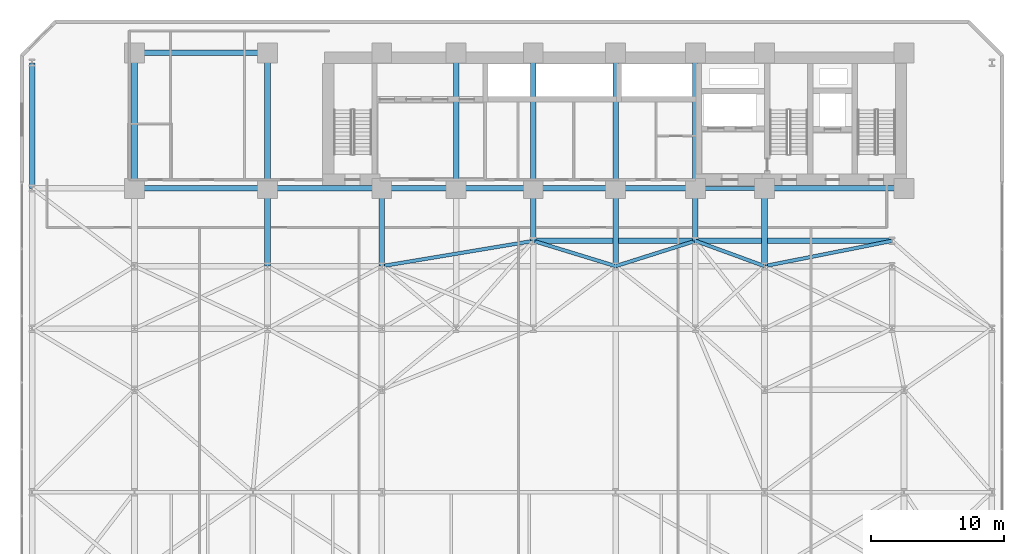
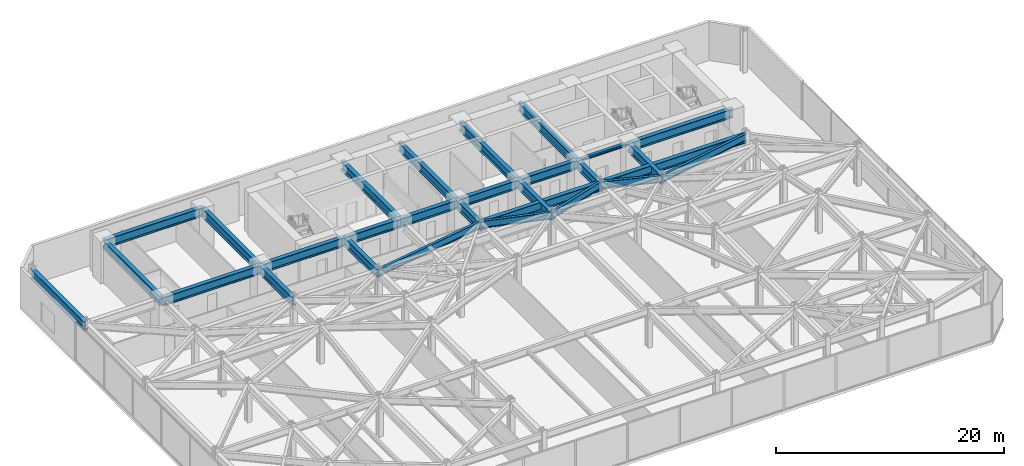
# One storey, part 20 of 30: 29 beams.
"""IFC4 building model written with IfcOpenShell, lengths in metres."""

from ifc_helpers import new_model, si_unit, direction, frame, origin, origin_2d, place, context, subcontext, project, spatial, i_section, extrude, material, material_profile, profile_set, type_object, element, save


model = new_model("IFC4")

# Units and contexts
model_context = context("Model", 3, precision=1e-05, world=origin(), true_north=direction((0.0, 1.0)))
body_context = subcontext(model_context, "Body", "Model", "MODEL_VIEW")
ifc_project = project(units=[si_unit("LENGTHUNIT", "METRE"), si_unit("AREAUNIT", "SQUARE_METRE"), si_unit("VOLUMEUNIT", "CUBIC_METRE"), si_unit("PLANEANGLEUNIT", "RADIAN"), si_unit("MASSUNIT", "GRAM", prefix="KILO")], contexts=[model_context])

# Site, building, storey
site_placement = place(None, origin())
site = spatial("IfcSite", under=ifc_project, at=site_placement, CompositionType="ELEMENT")
building_placement = place(site_placement, origin())
building = spatial("IfcBuilding", under=site, at=building_placement, Name="Kravanh Interchange Tower", CompositionType="ELEMENT")
storey_placement = place(building_placement, frame((0.0, 0.0, 19.800048828125)))
storey = spatial("IfcBuildingStorey", under=building, at=storey_placement, Name="L04", CompositionType="ELEMENT", Elevation=19.800048828125)

# Beams
ifc_material_1 = material(Name="Structural Steel S450", Category="steel")
ifc_material_profile_1 = material_profile(ifc_material_1, i_section(OverallWidth=0.423095703125, OverallDepth=0.947998046875, WebThickness=0.02392578125, FlangeThickness=0.042724609375, FilletRadius=0.028076171875, at=origin_2d()), Name="W36X302")
ifc_profile_set_1 = profile_set([ifc_material_profile_1], Name="Structural Steel S450")
beam_type_1 = type_object("IfcBeamType", Name="Floor Beam W36X302 Structural Steel S450", PredefinedType="BEAM", material=ifc_profile_set_1)
for number, where, z_axis, x_axis, name in (
    (1, (18.60009765625, 31.5, 3.676025390625), (0.0, 1.0, 0.0), (-1.0, 0.0, 0.0), "L04 Primary Floor Girder 108"),
    (2, (27.199951171875, 31.5, 3.676025390625), (0.0, 1.0, 0.0), (-1.0, 0.0, 0.0), "L04 Primary Floor Girder 110"),
    (3, (44.800048828125, 31.5, 3.676025390625), (0.0, 1.0, 0.0), (-1.0, 0.0, 0.0), "L04 Primary Floor Girder 113"),
    (4, (56.0, 31.5, 3.676025390625), (0.0, 1.0, 0.0), (-1.0, 0.0, 0.0), "L04 Primary Floor Girder 118"),
):
    element("IfcBeam", number, at=place(storey_placement, frame(where, z_axis=z_axis, x_axis=x_axis)), inside=storey, type_object=beam_type_1, Name=name, PredefinedType="BEAM", context=body_context, shape_type="SweptSolid", body=[
        extrude(i_section(OverallWidth=0.423095703125, OverallDepth=0.947998046875, WebThickness=0.02392578125, FlangeThickness=0.042724609375, FilletRadius=0.028076171875, at=origin_2d()), origin(), (0.0, 0.0, 1.0), 5.85009765625),
    ])
beam_1_placement = place(storey_placement, frame((0.89990234375, 37.35009765625, 3.676025390625), z_axis=(0.0, 1.0, 0.0), x_axis=(-1.0, 0.0, 0.0)))
element("IfcBeam", 5, at=beam_1_placement, inside=storey, type_object=beam_type_1, Name="L04 Primary Floor Girder 126", PredefinedType="BEAM", context=body_context, shape_type="SweptSolid", body=[
    extrude(i_section(OverallWidth=0.423095703125, OverallDepth=0.947998046875, WebThickness=0.02392578125, FlangeThickness=0.042724609375, FilletRadius=0.028076171875, at=origin_2d()), origin(), (0.0, 0.0, 1.0), 9.449951171875),
])
beam_2_placement = place(storey_placement, frame((38.60009765625, 33.39990234375, 3.676025390625), z_axis=(0.0, 1.0, 0.0), x_axis=(-1.0, 0.0, 0.0)))
element("IfcBeam", 6, at=beam_2_placement, inside=storey, type_object=beam_type_1, Name="L04 Primary Floor Girder 130", PredefinedType="BEAM", context=body_context, shape_type="SweptSolid", body=[
    extrude(i_section(OverallWidth=0.423095703125, OverallDepth=0.947998046875, WebThickness=0.02392578125, FlangeThickness=0.042724609375, FilletRadius=0.028076171875, at=origin_2d()), origin(), (0.0, 0.0, 1.0), 3.9501953125),
])
beam_3_placement = place(storey_placement, frame((38.60009765625, 33.39990234375, 3.676025390625), z_axis=(1.0, 0.0, 0.0), x_axis=(0.0, 1.0, 0.0)))
element("IfcBeam", 7, at=beam_3_placement, inside=storey, type_object=beam_type_1, Name="L04 Primary Floor Girder 131", PredefinedType="BEAM", context=body_context, shape_type="SweptSolid", body=[
    extrude(i_section(OverallWidth=0.423095703125, OverallDepth=0.947998046875, WebThickness=0.02392578125, FlangeThickness=0.042724609375, FilletRadius=0.028076171875, at=origin_2d()), origin(), (0.0, 0.0, 1.0), 12.199951171875),
])
beam_4_placement = place(storey_placement, frame((50.800048828125, 33.39990234375, 3.676025390625), z_axis=(0.0, 1.0, 0.0), x_axis=(-1.0, 0.0, 0.0)))
element("IfcBeam", 8, at=beam_4_placement, inside=storey, type_object=beam_type_1, Name="L04 Primary Floor Girder 132", PredefinedType="BEAM", context=body_context, shape_type="SweptSolid", body=[
    extrude(i_section(OverallWidth=0.423095703125, OverallDepth=0.947998046875, WebThickness=0.02392578125, FlangeThickness=0.042724609375, FilletRadius=0.028076171875, at=origin_2d()), origin(), (0.0, 0.0, 1.0), 3.9501953125),
])
beam_5_placement = place(storey_placement, frame((50.800048828125, 33.39990234375, 3.676025390625), z_axis=(1.0, 0.0, 0.0), x_axis=(0.0, 1.0, 0.0)))
element("IfcBeam", 9, at=beam_5_placement, inside=storey, type_object=beam_type_1, Name="L04 Primary Floor Girder 133", PredefinedType="BEAM", context=body_context, shape_type="SweptSolid", body=[
    extrude(i_section(OverallWidth=0.423095703125, OverallDepth=0.947998046875, WebThickness=0.02392578125, FlangeThickness=0.042724609375, FilletRadius=0.028076171875, at=origin_2d()), origin(), (0.0, 0.0, 1.0), 14.800048828125),
])
beam_6_placement = place(storey_placement, frame((66.5, 37.35009765625, 3.676025390625), z_axis=(-1.0, 0.0, 0.0), x_axis=(0.0, -1.0, 0.0)))
element("IfcBeam", 10, at=beam_6_placement, inside=storey, type_object=beam_type_1, Name="L04 Primary Floor Girder 138", PredefinedType="BEAM", context=body_context, shape_type="SweptSolid", body=[
    extrude(i_section(OverallWidth=0.423095703125, OverallDepth=0.947998046875, WebThickness=0.02392578125, FlangeThickness=0.042724609375, FilletRadius=0.028076171875, at=origin_2d()), origin(), (0.0, 0.0, 1.0), 10.5),
])
beam_7_placement = place(storey_placement, frame((50.800048828125, 47.550048828125, 3.676025390625), z_axis=(0.0, -1.0, 0.0), x_axis=(1.0, 0.0, 0.0)))
element("IfcBeam", 11, at=beam_7_placement, inside=storey, type_object=beam_type_1, Name="L04 Primary Floor Girder 141", PredefinedType="BEAM", context=body_context, shape_type="SweptSolid", body=[
    extrude(i_section(OverallWidth=0.423095703125, OverallDepth=0.947998046875, WebThickness=0.02392578125, FlangeThickness=0.042724609375, FilletRadius=0.028076171875, at=origin_2d()), origin(), (0.0, 0.0, 1.0), 10.199951171875),
])
beam_8_placement = place(storey_placement, frame((50.800048828125, 37.35009765625, 3.676025390625), z_axis=(-1.0, 0.0, 0.0), x_axis=(0.0, -1.0, 0.0)))
element("IfcBeam", 12, at=beam_8_placement, inside=storey, type_object=beam_type_1, Name="L04 Primary Floor Girder 142", PredefinedType="BEAM", context=body_context, shape_type="SweptSolid", body=[
    extrude(i_section(OverallWidth=0.423095703125, OverallDepth=0.947998046875, WebThickness=0.02392578125, FlangeThickness=0.042724609375, FilletRadius=0.028076171875, at=origin_2d()), origin(), (0.0, 0.0, 1.0), 6.0),
])
beam_9_placement = place(storey_placement, frame((44.800048828125, 37.35009765625, 3.676025390625), z_axis=(-1.0, 0.0, 0.0), x_axis=(0.0, -1.0, 0.0)))
element("IfcBeam", 13, at=beam_9_placement, inside=storey, type_object=beam_type_1, Name="L04 Primary Floor Girder 143", PredefinedType="BEAM", context=body_context, shape_type="SweptSolid", body=[
    extrude(i_section(OverallWidth=0.423095703125, OverallDepth=0.947998046875, WebThickness=0.02392578125, FlangeThickness=0.042724609375, FilletRadius=0.028076171875, at=origin_2d()), origin(), (0.0, 0.0, 1.0), 6.199951171875),
])
beam_10_placement = place(storey_placement, frame((44.800048828125, 37.35009765625, 3.676025390625), z_axis=(0.0, 1.0, 0.0), x_axis=(-1.0, 0.0, 0.0)))
element("IfcBeam", 14, at=beam_10_placement, inside=storey, type_object=beam_type_1, Name="L04 Primary Floor Girder 144", PredefinedType="BEAM", context=body_context, shape_type="SweptSolid", body=[
    extrude(i_section(OverallWidth=0.423095703125, OverallDepth=0.947998046875, WebThickness=0.02392578125, FlangeThickness=0.042724609375, FilletRadius=0.028076171875, at=origin_2d()), origin(), (0.0, 0.0, 1.0), 10.199951171875),
])
beam_11_placement = place(storey_placement, frame((38.60009765625, 37.35009765625, 3.676025390625), z_axis=(-1.0, 0.0, 0.0), x_axis=(0.0, -1.0, 0.0)))
element("IfcBeam", 15, at=beam_11_placement, inside=storey, type_object=beam_type_1, Name="L04 Primary Floor Girder 146", PredefinedType="BEAM", context=body_context, shape_type="SweptSolid", body=[
    extrude(i_section(OverallWidth=0.423095703125, OverallDepth=0.947998046875, WebThickness=0.02392578125, FlangeThickness=0.042724609375, FilletRadius=0.028076171875, at=origin_2d()), origin(), (0.0, 0.0, 1.0), 5.800048828125),
])
beam_12_placement = place(storey_placement, frame((38.60009765625, 37.35009765625, 3.676025390625), z_axis=(0.0, 1.0, 0.0), x_axis=(-1.0, 0.0, 0.0)))
element("IfcBeam", 16, at=beam_12_placement, inside=storey, type_object=beam_type_1, Name="L04 Primary Floor Girder 147", PredefinedType="BEAM", context=body_context, shape_type="SweptSolid", body=[
    extrude(i_section(OverallWidth=0.423095703125, OverallDepth=0.947998046875, WebThickness=0.02392578125, FlangeThickness=0.042724609375, FilletRadius=0.028076171875, at=origin_2d()), origin(), (0.0, 0.0, 1.0), 10.199951171875),
])
beam_13_placement = place(storey_placement, frame((32.800048828125, 37.35009765625, 3.676025390625), z_axis=(-1.0, 0.0, 0.0), x_axis=(0.0, -1.0, 0.0)))
element("IfcBeam", 17, at=beam_13_placement, inside=storey, type_object=beam_type_1, Name="L04 Primary Floor Girder 149", PredefinedType="BEAM", context=body_context, shape_type="SweptSolid", body=[
    extrude(i_section(OverallWidth=0.423095703125, OverallDepth=0.947998046875, WebThickness=0.02392578125, FlangeThickness=0.042724609375, FilletRadius=0.028076171875, at=origin_2d()), origin(), (0.0, 0.0, 1.0), 5.60009765625),
])
beam_14_placement = place(storey_placement, frame((32.800048828125, 37.35009765625, 3.676025390625), z_axis=(0.0, 1.0, 0.0), x_axis=(-1.0, 0.0, 0.0)))
element("IfcBeam", 18, at=beam_14_placement, inside=storey, type_object=beam_type_1, Name="L04 Primary Floor Girder 150", PredefinedType="BEAM", context=body_context, shape_type="SweptSolid", body=[
    extrude(i_section(OverallWidth=0.423095703125, OverallDepth=0.947998046875, WebThickness=0.02392578125, FlangeThickness=0.042724609375, FilletRadius=0.028076171875, at=origin_2d()), origin(), (0.0, 0.0, 1.0), 10.199951171875),
])
beam_15_placement = place(storey_placement, frame((27.199951171875, 37.35009765625, 3.676025390625), z_axis=(-1.0, 0.0, 0.0), x_axis=(0.0, -1.0, 0.0)))
element("IfcBeam", 19, at=beam_15_placement, inside=storey, type_object=beam_type_1, Name="L04 Primary Floor Girder 152", PredefinedType="BEAM", context=body_context, shape_type="SweptSolid", body=[
    extrude(i_section(OverallWidth=0.423095703125, OverallDepth=0.947998046875, WebThickness=0.02392578125, FlangeThickness=0.042724609375, FilletRadius=0.028076171875, at=origin_2d()), origin(), (0.0, 0.0, 1.0), 8.599853515625),
])
beam_16_placement = place(storey_placement, frame((18.60009765625, 37.35009765625, 3.676025390625), z_axis=(-1.0, 0.0, 0.0), x_axis=(0.0, -1.0, 0.0)))
element("IfcBeam", 20, at=beam_16_placement, inside=storey, type_object=beam_type_1, Name="L04 Primary Floor Girder 155", PredefinedType="BEAM", context=body_context, shape_type="SweptSolid", body=[
    extrude(i_section(OverallWidth=0.423095703125, OverallDepth=0.947998046875, WebThickness=0.02392578125, FlangeThickness=0.042724609375, FilletRadius=0.028076171875, at=origin_2d()), origin(), (0.0, 0.0, 1.0), 10.0),
])
beam_17_placement = place(storey_placement, frame((18.60009765625, 37.35009765625, 3.676025390625), z_axis=(0.0, 1.0, 0.0), x_axis=(-1.0, 0.0, 0.0)))
element("IfcBeam", 21, at=beam_17_placement, inside=storey, type_object=beam_type_1, Name="L04 Primary Floor Girder 156", PredefinedType="BEAM", context=body_context, shape_type="SweptSolid", body=[
    extrude(i_section(OverallWidth=0.423095703125, OverallDepth=0.947998046875, WebThickness=0.02392578125, FlangeThickness=0.042724609375, FilletRadius=0.028076171875, at=origin_2d()), origin(), (0.0, 0.0, 1.0), 10.199951171875),
])
beam_18_placement = place(storey_placement, frame((18.60009765625, 47.550048828125, 3.676025390625), z_axis=(-1.0, 0.0, 0.0), x_axis=(0.0, -1.0, 0.0)))
element("IfcBeam", 22, at=beam_18_placement, inside=storey, type_object=beam_type_1, Name="L04 Primary Floor Girder 157", PredefinedType="BEAM", context=body_context, shape_type="SweptSolid", body=[
    extrude(i_section(OverallWidth=0.423095703125, OverallDepth=0.947998046875, WebThickness=0.02392578125, FlangeThickness=0.042724609375, FilletRadius=0.028076171875, at=origin_2d()), origin(), (0.0, 0.0, 1.0), 10.0),
])
beam_19_placement = place(storey_placement, frame((8.60009765625, 37.35009765625, 3.676025390625), z_axis=(0.0, 1.0, 0.0), x_axis=(-1.0, 0.0, 0.0)))
element("IfcBeam", 23, at=beam_19_placement, inside=storey, type_object=beam_type_1, Name="L04 Primary Floor Girder 158", PredefinedType="BEAM", context=body_context, shape_type="SweptSolid", body=[
    extrude(i_section(OverallWidth=0.423095703125, OverallDepth=0.947998046875, WebThickness=0.02392578125, FlangeThickness=0.042724609375, FilletRadius=0.028076171875, at=origin_2d()), origin(), (0.0, 0.0, 1.0), 10.199951171875),
])
ifc_material_2 = material(Name="Structural Steel S355", Category="steel")
ifc_material_profile_2 = material_profile(ifc_material_2, i_section(OverallWidth=0.304931640625, OverallDepth=0.306884765625, WebThickness=0.010009765625, FlangeThickness=0.015380859375, FilletRadius=0.014892578125, at=origin_2d()), Name="W12X65")
ifc_profile_set_2 = profile_set([ifc_material_profile_2], Name="Structural Steel S355")
beam_type_2 = type_object("IfcBeamType", Name="Floor Lintel W12X65 Structural Steel S355", PredefinedType="LINTEL", material=ifc_profile_set_2)
beam_20_placement = place(storey_placement, frame((50.800048828125, 37.35009765625, 3.996337890625), z_axis=(1.0, 0.0, 0.0), x_axis=(0.0, 1.0, 0.0)))
element("IfcBeam", 24, at=beam_20_placement, inside=storey, type_object=beam_type_2, Name="L04 Core Coupling Lintel 1", PredefinedType="LINTEL", context=body_context, shape_type="SweptSolid", body=[
    extrude(i_section(OverallWidth=0.304931640625, OverallDepth=0.306884765625, WebThickness=0.010009765625, FlangeThickness=0.015380859375, FilletRadius=0.014892578125, at=origin_2d()), origin(), (0.0, 0.0, 1.0), 5.199951171875),
])
ifc_material_3 = material(Name="Structural Steel S355", Category="steel")
ifc_material_profile_3 = material_profile(ifc_material_3, i_section(OverallWidth=0.26708984375, OverallDepth=0.761962890625, WebThickness=0.014404296875, FlangeThickness=0.021484375, FilletRadius=0.02490234375, at=origin_2d()), Name="W30X116")
ifc_profile_set_3 = profile_set([ifc_material_profile_3], Name="Structural Steel S355")
beam_type_3 = type_object("IfcBeamType", Name="Floor Spandrel W30X116 Structural Steel S355", PredefinedType="SPANDREL", material=ifc_profile_set_3)
beam_21_placement = place(storey_placement, frame((27.199951171875, 31.5, 3.76904296875), z_axis=(0.986395636554, 0.164388710647, 0.0), x_axis=(-0.164388710647, 0.986395636554, 0.0)))
element("IfcBeam", 25, at=beam_21_placement, inside=storey, type_object=beam_type_3, Name="L04 Perimeter Spandrel 111", PredefinedType="SPANDREL", context=body_context, shape_type="SweptSolid", body=[
    extrude(i_section(OverallWidth=0.26708984375, OverallDepth=0.761962890625, WebThickness=0.014404296875, FlangeThickness=0.021484375, FilletRadius=0.02490234375, at=origin_2d()), origin(), (0.0, 0.0, 1.0), 11.557373046875),
])
beam_22_placement = place(storey_placement, frame((44.800048828125, 31.5, 3.76904296875), z_axis=(0.953346691051, 0.301877602122, 0.0), x_axis=(-0.301877602122, 0.953346691051, 0.0)))
element("IfcBeam", 26, at=beam_22_placement, inside=storey, type_object=beam_type_3, Name="L04 Perimeter Spandrel 114", PredefinedType="SPANDREL", context=body_context, shape_type="SweptSolid", body=[
    extrude(i_section(OverallWidth=0.26708984375, OverallDepth=0.761962890625, WebThickness=0.014404296875, FlangeThickness=0.021484375, FilletRadius=0.02490234375, at=origin_2d()), origin(), (0.0, 0.0, 1.0), 6.293701171875),
])
beam_23_placement = place(storey_placement, frame((44.800048828125, 31.5, 3.76904296875), z_axis=(-0.956115397264, 0.292990353279, 0.0), x_axis=(-0.292990353279, -0.956115397264, 0.0)))
element("IfcBeam", 27, at=beam_23_placement, inside=storey, type_object=beam_type_3, Name="L04 Perimeter Spandrel 115", PredefinedType="SPANDREL", context=body_context, shape_type="SweptSolid", body=[
    extrude(i_section(OverallWidth=0.26708984375, OverallDepth=0.761962890625, WebThickness=0.014404296875, FlangeThickness=0.021484375, FilletRadius=0.02490234375, at=origin_2d()), origin(), (0.0, 0.0, 1.0), 6.484619140625),
])
beam_24_placement = place(storey_placement, frame((56.0, 31.5, 3.76904296875), z_axis=(-0.93926957103, 0.343180233896, 0.0), x_axis=(-0.343180233896, -0.93926957103, 0.0)))
element("IfcBeam", 28, at=beam_24_placement, inside=storey, type_object=beam_type_3, Name="L04 Perimeter Spandrel 117", PredefinedType="SPANDREL", context=body_context, shape_type="SweptSolid", body=[
    extrude(i_section(OverallWidth=0.26708984375, OverallDepth=0.761962890625, WebThickness=0.014404296875, FlangeThickness=0.021484375, FilletRadius=0.02490234375, at=origin_2d()), origin(), (0.0, 0.0, 1.0), 5.5361328125),
])
beam_25_placement = place(storey_placement, frame((56.0, 31.5, 3.76904296875), z_axis=(0.980974000807, 0.194139150457, 0.0), x_axis=(-0.194139150457, 0.980974000807, 0.0)))
element("IfcBeam", 29, at=beam_25_placement, inside=storey, type_object=beam_type_3, Name="L04 Perimeter Spandrel 120", PredefinedType="SPANDREL", context=body_context, shape_type="SweptSolid", body=[
    extrude(i_section(OverallWidth=0.26708984375, OverallDepth=0.761962890625, WebThickness=0.014404296875, FlangeThickness=0.021484375, FilletRadius=0.02490234375, at=origin_2d()), origin(), (0.0, 0.0, 1.0), 9.786376953125),
])

save(model, "model.ifc")
